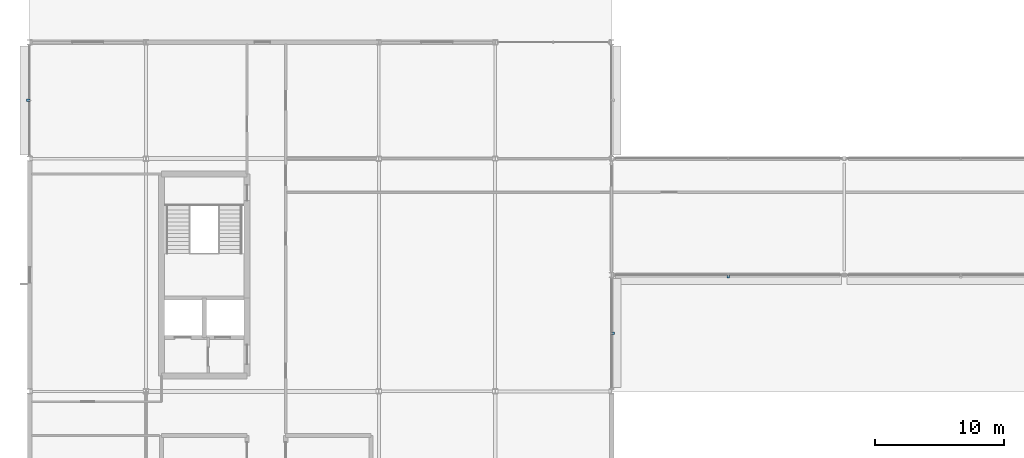
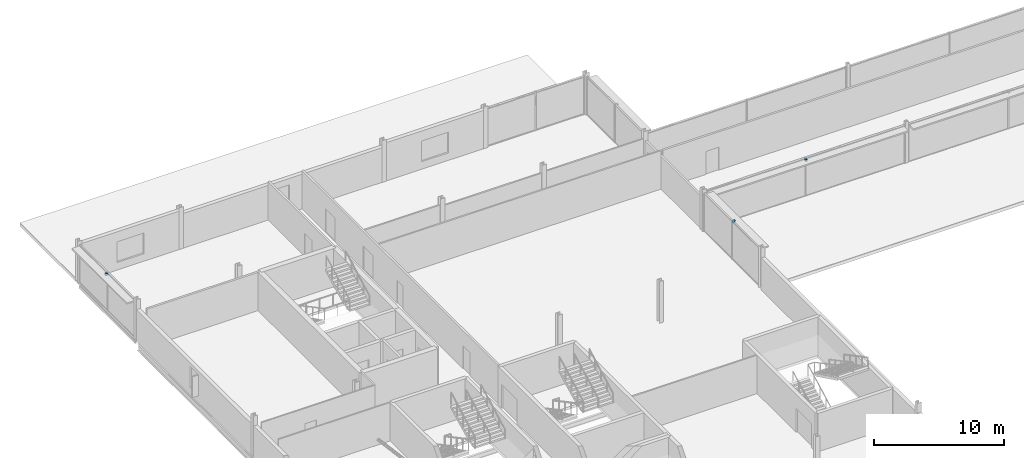
# One storey, part 78 of 105: 3 discrete accessories.
"""IFC4 building model written with IfcOpenShell, lengths in metres."""

from ifc_helpers import new_model, si_unit, direction, frame, origin, origin_2d, place, context, subcontext, project, spatial, rectangle, extrude, material, type_object, element, save


model = new_model("IFC4")

# Units and contexts
model_context = context("Model", 3, precision=1e-05, world=origin(), true_north=direction((0.0, 1.0)))
body_context = subcontext(model_context, "Body", "Model", "MODEL_VIEW")
ifc_project = project(units=[si_unit("LENGTHUNIT", "METRE"), si_unit("AREAUNIT", "SQUARE_METRE"), si_unit("VOLUMEUNIT", "CUBIC_METRE"), si_unit("PLANEANGLEUNIT", "RADIAN"), si_unit("MASSUNIT", "GRAM", prefix="KILO")], contexts=[model_context])

# Site, building, storey
site_placement = place(None, origin())
site = spatial("IfcSite", under=ifc_project, at=site_placement, CompositionType="ELEMENT")
building_placement = place(site_placement, origin())
building = spatial("IfcBuilding", under=site, at=building_placement, Name="Kisiwana Market Hall", CompositionType="ELEMENT")
storey_placement = place(building_placement, frame((0.0, 0.0, 21.60009765625)))
storey = spatial("IfcBuildingStorey", under=building, at=storey_placement, Name="L04", CompositionType="ELEMENT", Elevation=21.60009765625)

# Discrete accessories
ifc_material = material(Name="Steel S355", Category="steel")
discrete_accessory_type = type_object("IfcDiscreteAccessoryType", Name="ACC-BRACKET-STL", PredefinedType="BRACKET", material=ifc_material)
for number, where, z_axis, x_axis, name in (
    (1, (54.03076171875, 92.889892578125, 3.375), (0.0, 0.0, 1.0), (1.0, 0.0, 0.0), "Sunshade steel bracket BRK-060"),
    (2, (-0.110107421875, 106.5, 3.375), (0.0, 0.0, 1.0), (0.0, 1.0, 0.0), "Sunshade steel bracket BRK-066"),
    (3, (45.110107421875, 88.5, 3.375), (0.0, 0.0, 1.0), (0.0, 1.0, 0.0), "Sunshade steel bracket BRK-069"),
):
    element("IfcDiscreteAccessory", number, at=place(storey_placement, frame(where, z_axis=z_axis, x_axis=x_axis)), inside=storey, type_object=discrete_accessory_type, Name=name, PredefinedType="BRACKET", context=body_context, shape_type="SweptSolid", body=[
        extrude(rectangle(XDim=0.179931640625, YDim=0.239990234375, at=origin_2d()), origin(), (0.0, 0.0, 1.0), 0.179931640625),
    ])

save(model, "model.ifc")
